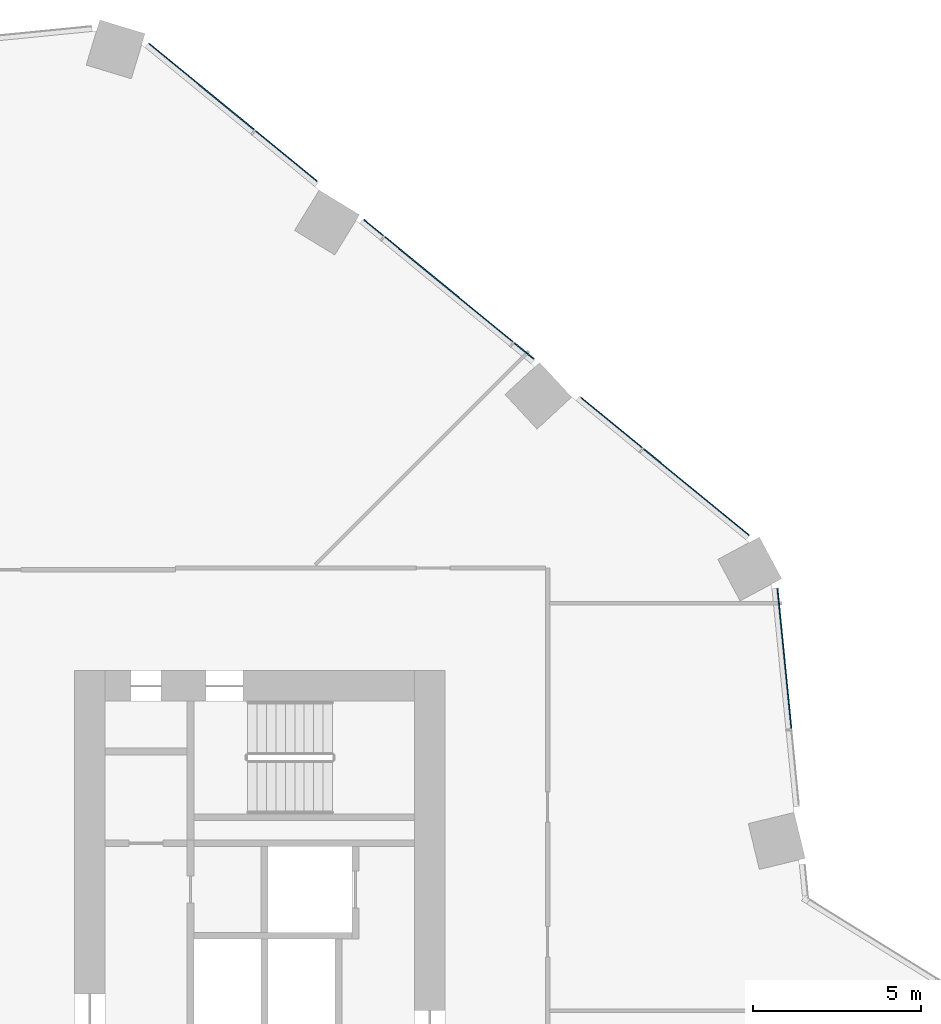
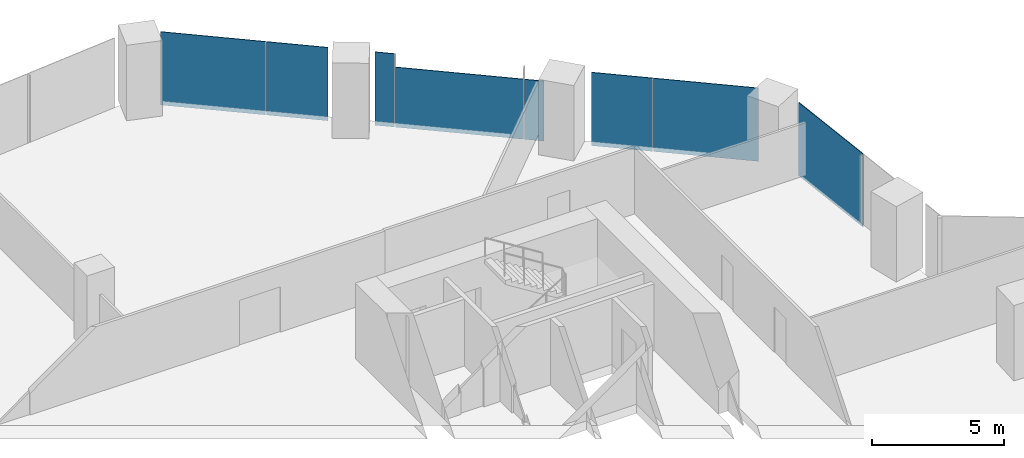
# One storey, part 26 of 33: 8 plates, 2 elements without a shape of their own.
"""IFC4 building model written with IfcOpenShell, lengths in metres."""

from ifc_helpers import new_model, si_unit, direction, frame, origin, origin_2d, place, context, subcontext, project, spatial, rectangle, extrude, material, layer, layer_set, type_object, element, aggregate, save


model = new_model("IFC4")

# Units and contexts
model_context = context("Model", 3, precision=1e-05, world=origin(), true_north=direction((0.0, 1.0)))
body_context = subcontext(model_context, "Body", "Model", "MODEL_VIEW")
ifc_project = project(units=[si_unit("LENGTHUNIT", "METRE"), si_unit("AREAUNIT", "SQUARE_METRE"), si_unit("VOLUMEUNIT", "CUBIC_METRE"), si_unit("PLANEANGLEUNIT", "RADIAN"), si_unit("MASSUNIT", "GRAM", prefix="KILO")], contexts=[model_context])

# Site, building, storey
site_placement = place(None, origin())
site = spatial("IfcSite", under=ifc_project, at=site_placement, CompositionType="ELEMENT")
building_placement = place(site_placement, origin())
building = spatial("IfcBuilding", under=site, at=building_placement, Name="Orlundy Tower", CompositionType="ELEMENT")
storey_placement = place(building_placement, frame((0.0, 0.0, 51.300048828125)))
storey = spatial("IfcBuildingStorey", under=building, at=storey_placement, Name="L11", CompositionType="ELEMENT", Elevation=51.300048828125)

# Curtain wall, plates
ifc_material_1 = material(Name="Aluminium bronze anodised", Category="aluminium")
curtain_wall_type = type_object("IfcCurtainWallType", Name="CW1 wall", PredefinedType="NOTDEFINED", material=ifc_material_1)
curtain_wall_1_placement = place(storey_placement, origin())
curtain_wall_1 = element("IfcCurtainWall", 1, at=curtain_wall_1_placement, inside=storey, type_object=curtain_wall_type, Name="CW1 run 04", PredefinedType="NOTDEFINED")
ifc_material_2 = material(Name="Tinted glass", Category="glass")
ifc_layer = layer(ifc_material_2, 0.031982421875)
ifc_layer_set = layer_set([ifc_layer], Name="CW1 glass panel 32")
plate_type = type_object("IfcPlateType", Name="CW1 glass panel 32", PredefinedType="CURTAIN_PANEL", material=ifc_layer_set)
plate_1_placement = place(storey_placement, frame((11.77001953125, 29.3525390625, -0.300048828125), z_axis=(0.0, 0.0, 1.0), x_axis=(0.773482002143, -0.633818264458, 0.0)))
plate_1 = element("IfcPlate", 2, at=plate_1_placement, type_object=plate_type, Name="CW1 panel", PredefinedType="CURTAIN_PANEL", context=body_context, shape_type="SweptSolid", body=[
    extrude(rectangle(XDim=4.039306640625, YDim=0.031982421875, at=origin_2d()), origin(), (0.0, 0.0, 1.0), 3.39990234375),
])
plate_2_placement = place(storey_placement, frame((14.28271484375, 27.29345703125, -0.300048828125), z_axis=(0.0, 0.0, 1.0), x_axis=(0.773482002143, -0.633818264458, 0.0)))
plate_2 = element("IfcPlate", 3, at=plate_2_placement, type_object=plate_type, Name="CW1 panel", PredefinedType="CURTAIN_PANEL", context=body_context, shape_type="SweptSolid", body=[
    extrude(rectangle(XDim=2.35791015625, YDim=0.031982421875, at=origin_2d()), origin(), (0.0, 0.0, 1.0), 3.39990234375),
])
plate_3_placement = place(storey_placement, frame((16.888427734375, 25.158203125, -0.300048828125), z_axis=(0.0, 0.0, 1.0), x_axis=(0.773482002143, -0.633818264458, 0.0)))
plate_3 = element("IfcPlate", 4, at=plate_3_placement, type_object=plate_type, Name="CW1 panel", PredefinedType="CURTAIN_PANEL", context=body_context, shape_type="SweptSolid", body=[
    extrude(rectangle(XDim=0.74560546875, YDim=0.031982421875, at=origin_2d()), origin(), (0.0, 0.0, 1.0), 3.39990234375),
])
plate_4_placement = place(storey_placement, frame((19.118408203125, 23.330810546875, -0.2998046875), z_axis=(0.0, 0.0, 1.0), x_axis=(0.773482002143, -0.633818264458, 0.0)))
plate_4 = element("IfcPlate", 5, at=plate_4_placement, type_object=plate_type, Name="CW1 panel", PredefinedType="CURTAIN_PANEL", context=body_context, shape_type="SweptSolid", body=[
    extrude(rectangle(XDim=4.92041015625, YDim=0.031982421875, at=origin_2d()), origin(), (0.0, 0.0, 1.0), 2.783935546875),
])
plate_5_placement = place(storey_placement, frame((21.3486328125, 21.50341796875, -0.2998046875), z_axis=(0.0, 0.0, 1.0), x_axis=(0.773482002143, -0.633818264458, 0.0)))
plate_5 = element("IfcPlate", 6, at=plate_5_placement, type_object=plate_type, Name="CW1 panel", PredefinedType="CURTAIN_PANEL", context=body_context, shape_type="SweptSolid", body=[
    extrude(rectangle(XDim=0.74609375, YDim=0.031982421875, at=origin_2d()), origin(), (0.0, 0.0, 1.0), 2.783935546875),
])
plate_6_placement = place(storey_placement, frame((23.954345703125, 19.3681640625, -0.300048828125), z_axis=(0.0, 0.0, 1.0), x_axis=(0.773482002143, -0.633818264458, 0.0)))
plate_6 = element("IfcPlate", 7, at=plate_6_placement, type_object=plate_type, Name="CW1 panel", PredefinedType="CURTAIN_PANEL", context=body_context, shape_type="SweptSolid", body=[
    extrude(rectangle(XDim=2.357421875, YDim=0.031982421875, at=origin_2d()), origin(), (0.0, 0.0, 1.0), 3.39990234375),
])
plate_7_placement = place(storey_placement, frame((26.467041015625, 17.30908203125, -0.300048828125), z_axis=(0.0, 0.0, 1.0), x_axis=(0.773482002143, -0.633818264458, 0.0)))
plate_7 = element("IfcPlate", 8, at=plate_7_placement, type_object=plate_type, Name="CW1 panel", PredefinedType="CURTAIN_PANEL", context=body_context, shape_type="SweptSolid", body=[
    extrude(rectangle(XDim=4.0400390625, YDim=0.031982421875, at=origin_2d()), origin(), (0.0, 0.0, 1.0), 3.39990234375),
])
aggregate(curtain_wall_1, [plate_1, plate_2, plate_3, plate_4, plate_5, plate_6, plate_7])

# Curtain wall, plate
curtain_wall_2_placement = place(storey_placement, origin())
curtain_wall_2 = element("IfcCurtainWall", 9, at=curtain_wall_2_placement, inside=storey, type_object=curtain_wall_type, Name="CW1 run 05", PredefinedType="NOTDEFINED")
plate_8_placement = place(storey_placement, frame((29.08544921875, 12.358642578125, -0.300048828125), z_axis=(0.0, 0.0, 1.0), x_axis=(0.098758968204, -0.995111383815, 0.0)))
plate_8 = element("IfcPlate", 10, at=plate_8_placement, type_object=plate_type, Name="CW1 panel", PredefinedType="CURTAIN_PANEL", context=body_context, shape_type="SweptSolid", body=[
    extrude(rectangle(XDim=4.1865234375, YDim=0.031982421875, at=origin_2d()), origin(), (0.0, 0.0, 1.0), 3.39990234375),
])
aggregate(curtain_wall_2, [plate_8])

save(model, "model.ifc")
